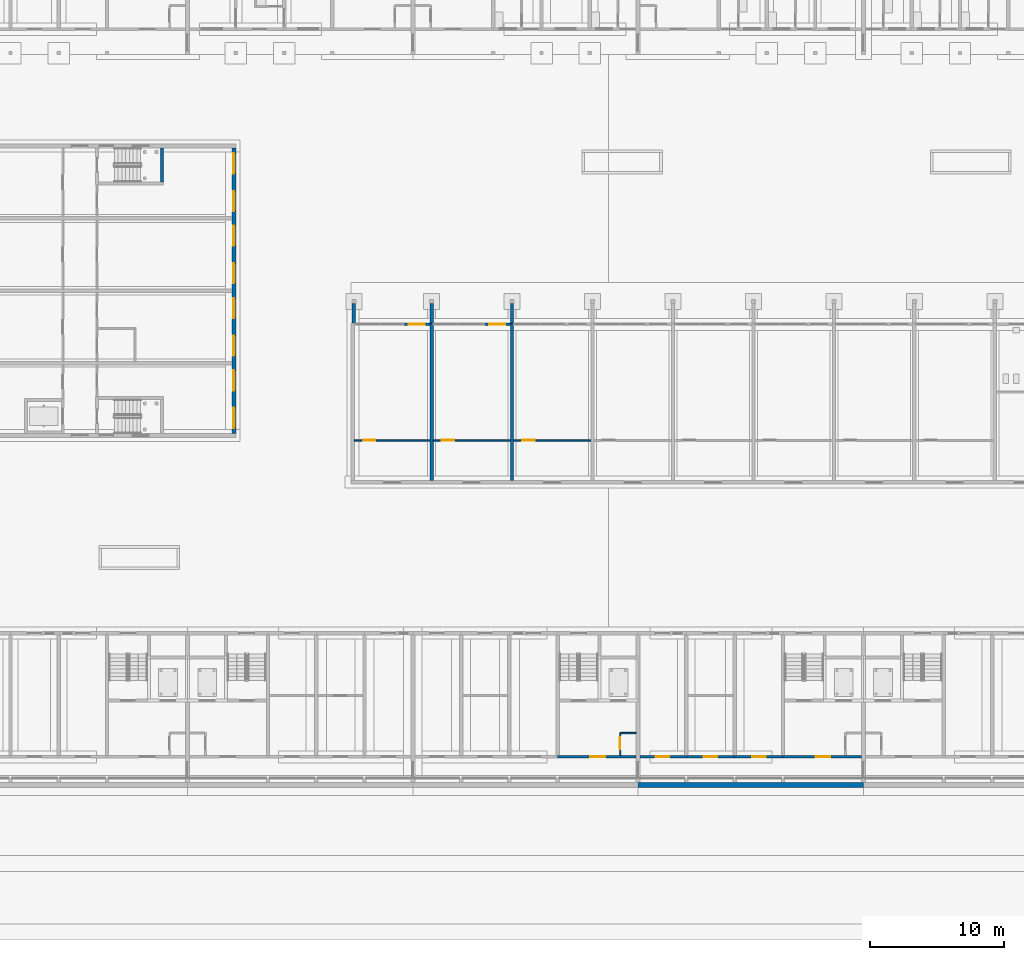
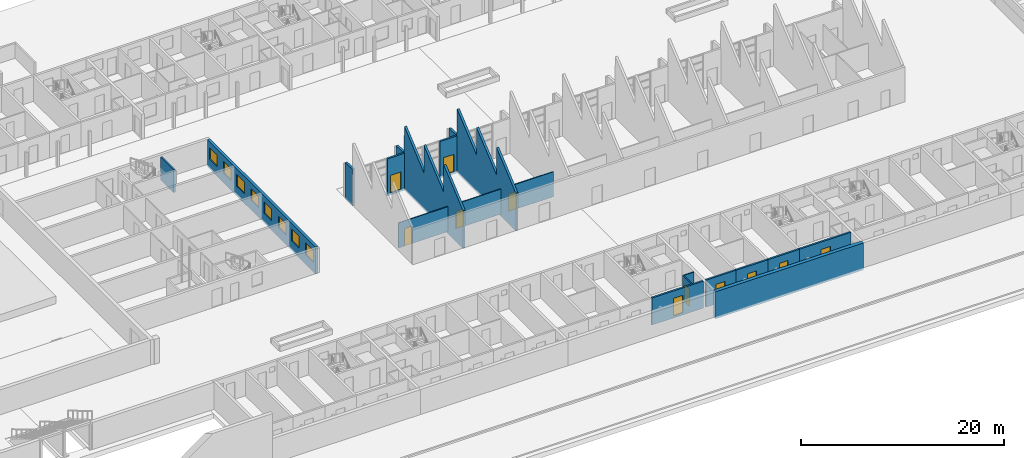
# One storey, part 58 of 112: 20 walls, 11 doors, 8 windows, 19 openings.
"""IFC4 building model written with IfcOpenShell, lengths in metres."""

from ifc_helpers import new_model, si_unit, direction, frame, frame_2d, origin, place, context, subcontext, project, spatial, polyline, rectangle, outline, extrude, material, layer, layer_set, type_object, element, fill, save


model = new_model("IFC4")

# Units and contexts
model_context = context("Model", 3, precision=1e-05, world=origin(), true_north=direction((0.0, 1.0)))
body_context = subcontext(model_context, "Body", "Model", "MODEL_VIEW")
ifc_project = project(units=[si_unit("LENGTHUNIT", "METRE"), si_unit("AREAUNIT", "SQUARE_METRE"), si_unit("VOLUMEUNIT", "CUBIC_METRE"), si_unit("PLANEANGLEUNIT", "RADIAN"), si_unit("MASSUNIT", "GRAM", prefix="KILO")], contexts=[model_context])

# Site, building, storey
site_placement = place(None, origin())
site = spatial("IfcSite", under=ifc_project, at=site_placement, CompositionType="ELEMENT")
building_placement = place(site_placement, origin())
building = spatial("IfcBuilding", under=site, at=building_placement, Name="Ridgestep Commons", CompositionType="ELEMENT")
storey_placement = place(building_placement, origin())
storey = spatial("IfcBuildingStorey", under=building, at=storey_placement, Name="L00", CompositionType="ELEMENT", Elevation=0.0)

# Wall, openings, windows
ifc_material_1 = material(Name="Precast concrete C40/50", Category="concrete")
ifc_layer_1 = layer(ifc_material_1, 0.300048828125)
ifc_layer_set_1 = layer_set([ifc_layer_1], Name="Annex wall 300")
wall_type_1 = type_object("IfcWallType", Name="Annex wall 300", PredefinedType="SOLIDWALL", material=ifc_layer_set_1)
wall_1_placement = place(storey_placement, frame((167.050048828125, 37.75, -0.25), z_axis=(0.0, 0.0, 1.0), x_axis=(0.0, 1.0, 0.0)))
wall_1 = element("IfcWall", 1, at=wall_1_placement, inside=storey, type_object=wall_type_1, Name="Annex wall 300", PredefinedType="SOLIDWALL", context=body_context, shape_type="SweptSolid", body=[
    extrude(rectangle(XDim=21.300048828125, YDim=0.300048828125, at=frame_2d((10.64990234375, 0.0))), origin(), (0.0, 0.0, 1.0), 3.25),
])
opening_1_placement = place(wall_1_placement, frame((0.41259765625, 0.0, 1.14990234375)))
opening_1 = element("IfcOpeningElement", 2, at=opening_1_placement, cuts=wall_1, Name="Opening WK2", PredefinedType="OPENING", context=body_context, shape_type="SweptSolid", body=[
    extrude(rectangle(XDim=1.5, YDim=1.39990234375, at=frame_2d((0.75, 0.699951171875))), frame((0.0, 0.159912109375, 0.0), z_axis=(0.0, -1.0, 0.0), x_axis=(1.0, 0.0, 0.0)), (0.0, 0.0, 1.0), 0.320068359375),
])
opening_2_placement = place(wall_1_placement, frame((3.21240234375, 0.0, 1.14990234375)))
opening_2 = element("IfcOpeningElement", 3, at=opening_2_placement, cuts=wall_1, Name="Opening WK2", PredefinedType="OPENING", context=body_context, shape_type="SweptSolid", body=[
    extrude(rectangle(XDim=1.5, YDim=1.39990234375, at=frame_2d((0.75, 0.699951171875))), frame((0.0, 0.159912109375, 0.0), z_axis=(0.0, -1.0, 0.0), x_axis=(1.0, 0.0, 0.0)), (0.0, 0.0, 1.0), 0.320068359375),
])
opening_3_placement = place(wall_1_placement, frame((5.800048828125, 0.0, 1.14990234375)))
opening_3 = element("IfcOpeningElement", 4, at=opening_3_placement, cuts=wall_1, Name="Opening WK2", PredefinedType="OPENING", context=body_context, shape_type="SweptSolid", body=[
    extrude(rectangle(XDim=1.5, YDim=1.39990234375, at=frame_2d((0.75, 0.699951171875))), frame((0.0, 0.159912109375, 0.0), z_axis=(0.0, -1.0, 0.0), x_axis=(1.0, 0.0, 0.0)), (0.0, 0.0, 1.0), 0.320068359375),
])
opening_4_placement = place(wall_1_placement, frame((8.60009765625, 0.0, 1.14990234375)))
opening_4 = element("IfcOpeningElement", 5, at=opening_4_placement, cuts=wall_1, Name="Opening WK2", PredefinedType="OPENING", context=body_context, shape_type="SweptSolid", body=[
    extrude(rectangle(XDim=1.5, YDim=1.39990234375, at=frame_2d((0.75, 0.699951171875))), frame((0.0, 0.159912109375, 0.0), z_axis=(0.0, -1.0, 0.0), x_axis=(1.0, 0.0, 0.0)), (0.0, 0.0, 1.0), 0.320068359375),
])
opening_5_placement = place(wall_1_placement, frame((11.199951171875, 0.0, 1.14990234375)))
opening_5 = element("IfcOpeningElement", 6, at=opening_5_placement, cuts=wall_1, Name="Opening WK2", PredefinedType="OPENING", context=body_context, shape_type="SweptSolid", body=[
    extrude(rectangle(XDim=1.5, YDim=1.39990234375, at=frame_2d((0.75, 0.699951171875))), frame((0.0, 0.159912109375, 0.0), z_axis=(0.0, -1.0, 0.0), x_axis=(1.0, 0.0, 0.0)), (0.0, 0.0, 1.0), 0.320068359375),
])
opening_6_placement = place(wall_1_placement, frame((14.0, 0.0, 1.14990234375)))
opening_6 = element("IfcOpeningElement", 7, at=opening_6_placement, cuts=wall_1, Name="Opening WK2", PredefinedType="OPENING", context=body_context, shape_type="SweptSolid", body=[
    extrude(rectangle(XDim=1.5, YDim=1.39990234375, at=frame_2d((0.75, 0.699951171875))), frame((0.0, 0.159912109375, 0.0), z_axis=(0.0, -1.0, 0.0), x_axis=(1.0, 0.0, 0.0)), (0.0, 0.0, 1.0), 0.320068359375),
])
opening_7_placement = place(wall_1_placement, frame((16.58740234375, 0.0, 1.14990234375)))
opening_7 = element("IfcOpeningElement", 8, at=opening_7_placement, cuts=wall_1, Name="Opening WK2", PredefinedType="OPENING", context=body_context, shape_type="SweptSolid", body=[
    extrude(rectangle(XDim=1.5, YDim=1.39990234375, at=frame_2d((0.75, 0.699951171875))), frame((0.0, 0.159912109375, 0.0), z_axis=(0.0, -1.0, 0.0), x_axis=(1.0, 0.0, 0.0)), (0.0, 0.0, 1.0), 0.320068359375),
])
opening_8_placement = place(wall_1_placement, frame((19.387451171875, 0.0, 1.14990234375)))
opening_8 = element("IfcOpeningElement", 9, at=opening_8_placement, cuts=wall_1, Name="Opening WK2", PredefinedType="OPENING", context=body_context, shape_type="SweptSolid", body=[
    extrude(rectangle(XDim=1.5, YDim=1.39990234375, at=frame_2d((0.75, 0.699951171875))), frame((0.0, 0.159912109375, 0.0), z_axis=(0.0, -1.0, 0.0), x_axis=(1.0, 0.0, 0.0)), (0.0, 0.0, 1.0), 0.320068359375),
])
ifc_material_2 = material(Name="Aluminium and glass", Category="aluminium")
window_type = type_object("IfcWindowType", Name="Community window 1500 x 1400", PartitioningType="DOUBLE_PANEL_HORIZONTAL", PredefinedType="WINDOW", material=ifc_material_2)
window_1_placement = place(opening_1_placement, origin())
window_1 = element("IfcWindow", 10, at=window_1_placement, inside=storey, type_object=window_type, Name="Community window 1500 x 1400", OverallHeight=1.39990234375, OverallWidth=1.5, PartitioningType="SINGLE_PANEL", PredefinedType="WINDOW", context=body_context, shape_type="SweptSolid", body=[
    extrude(rectangle(XDim=1.5, YDim=1.39990234375, at=frame_2d((0.75, 0.699951171875))), frame((0.0, 0.030029296875, 0.0), z_axis=(0.0, -1.0, 0.0), x_axis=(1.0, 0.0, 0.0)), (0.0, 0.0, 1.0), 0.06005859375),
])
fill(opening_1, window_1)
window_2_placement = place(opening_2_placement, origin())
window_2 = element("IfcWindow", 11, at=window_2_placement, inside=storey, type_object=window_type, Name="Community window 1500 x 1400", OverallHeight=1.39990234375, OverallWidth=1.5, PartitioningType="SINGLE_PANEL", PredefinedType="WINDOW", context=body_context, shape_type="SweptSolid", body=[
    extrude(rectangle(XDim=1.5, YDim=1.39990234375, at=frame_2d((0.75, 0.699951171875))), frame((0.0, 0.030029296875, 0.0), z_axis=(0.0, -1.0, 0.0), x_axis=(1.0, 0.0, 0.0)), (0.0, 0.0, 1.0), 0.06005859375),
])
fill(opening_2, window_2)
window_3_placement = place(opening_3_placement, origin())
window_3 = element("IfcWindow", 12, at=window_3_placement, inside=storey, type_object=window_type, Name="Community window 1500 x 1400", OverallHeight=1.39990234375, OverallWidth=1.5, PartitioningType="SINGLE_PANEL", PredefinedType="WINDOW", context=body_context, shape_type="SweptSolid", body=[
    extrude(rectangle(XDim=1.5, YDim=1.39990234375, at=frame_2d((0.75, 0.699951171875))), frame((0.0, 0.030029296875, 0.0), z_axis=(0.0, -1.0, 0.0), x_axis=(1.0, 0.0, 0.0)), (0.0, 0.0, 1.0), 0.06005859375),
])
fill(opening_3, window_3)
window_4_placement = place(opening_4_placement, origin())
window_4 = element("IfcWindow", 13, at=window_4_placement, inside=storey, type_object=window_type, Name="Community window 1500 x 1400", OverallHeight=1.39990234375, OverallWidth=1.5, PartitioningType="SINGLE_PANEL", PredefinedType="WINDOW", context=body_context, shape_type="SweptSolid", body=[
    extrude(rectangle(XDim=1.5, YDim=1.39990234375, at=frame_2d((0.75, 0.699951171875))), frame((0.0, 0.030029296875, 0.0), z_axis=(0.0, -1.0, 0.0), x_axis=(1.0, 0.0, 0.0)), (0.0, 0.0, 1.0), 0.06005859375),
])
fill(opening_4, window_4)
window_5_placement = place(opening_5_placement, origin())
window_5 = element("IfcWindow", 14, at=window_5_placement, inside=storey, type_object=window_type, Name="Community window 1500 x 1400", OverallHeight=1.39990234375, OverallWidth=1.5, PartitioningType="SINGLE_PANEL", PredefinedType="WINDOW", context=body_context, shape_type="SweptSolid", body=[
    extrude(rectangle(XDim=1.5, YDim=1.39990234375, at=frame_2d((0.75, 0.699951171875))), frame((0.0, 0.030029296875, 0.0), z_axis=(0.0, -1.0, 0.0), x_axis=(1.0, 0.0, 0.0)), (0.0, 0.0, 1.0), 0.06005859375),
])
fill(opening_5, window_5)
window_6_placement = place(opening_6_placement, origin())
window_6 = element("IfcWindow", 15, at=window_6_placement, inside=storey, type_object=window_type, Name="Community window 1500 x 1400", OverallHeight=1.39990234375, OverallWidth=1.5, PartitioningType="SINGLE_PANEL", PredefinedType="WINDOW", context=body_context, shape_type="SweptSolid", body=[
    extrude(rectangle(XDim=1.5, YDim=1.39990234375, at=frame_2d((0.75, 0.699951171875))), frame((0.0, 0.030029296875, 0.0), z_axis=(0.0, -1.0, 0.0), x_axis=(1.0, 0.0, 0.0)), (0.0, 0.0, 1.0), 0.06005859375),
])
fill(opening_6, window_6)
window_7_placement = place(opening_7_placement, origin())
window_7 = element("IfcWindow", 16, at=window_7_placement, inside=storey, type_object=window_type, Name="Community window 1500 x 1400", OverallHeight=1.39990234375, OverallWidth=1.5, PartitioningType="SINGLE_PANEL", PredefinedType="WINDOW", context=body_context, shape_type="SweptSolid", body=[
    extrude(rectangle(XDim=1.5, YDim=1.39990234375, at=frame_2d((0.75, 0.699951171875))), frame((0.0, 0.030029296875, 0.0), z_axis=(0.0, -1.0, 0.0), x_axis=(1.0, 0.0, 0.0)), (0.0, 0.0, 1.0), 0.06005859375),
])
fill(opening_7, window_7)
window_8_placement = place(opening_8_placement, origin())
window_8 = element("IfcWindow", 17, at=window_8_placement, inside=storey, type_object=window_type, Name="Community window 1500 x 1400", OverallHeight=1.39990234375, OverallWidth=1.5, PartitioningType="SINGLE_PANEL", PredefinedType="WINDOW", context=body_context, shape_type="SweptSolid", body=[
    extrude(rectangle(XDim=1.5, YDim=1.39990234375, at=frame_2d((0.75, 0.699951171875))), frame((0.0, 0.030029296875, 0.0), z_axis=(0.0, -1.0, 0.0), x_axis=(1.0, 0.0, 0.0)), (0.0, 0.0, 1.0), 0.06005859375),
])
fill(opening_8, window_8)

# Wall
ifc_material_3 = material(Name="Concrete C30/37", Category="concrete")
ifc_layer_2 = layer(ifc_material_3, 0.199951171875)
ifc_layer_set_2 = layer_set([ifc_layer_2], Name="Community stair wall 200")
wall_type_2 = type_object("IfcWallType", Name="Community stair wall 200", PredefinedType="SOLIDWALL", material=ifc_layer_set_2)
wall_2_placement = place(storey_placement, frame((161.68994140625, 59.050048828125, 0.0), z_axis=(0.0, 0.0, 1.0), x_axis=(0.0, -1.0, 0.0)))
element("IfcWall", 18, at=wall_2_placement, inside=storey, type_object=wall_type_2, Name="Community stair wall 200", PredefinedType="SOLIDWALL", context=body_context, shape_type="SweptSolid", body=[
    extrude(rectangle(XDim=2.550048828125, YDim=0.199951171875, at=frame_2d((1.27490234375, 0.0))), origin(), (0.0, 0.0, 1.0), 2.75),
])

# Wall, opening, door
ifc_material_4 = material(Name="Concrete C30/37", Category="concrete")
ifc_layer_3 = layer(ifc_material_4, 0.199951171875)
ifc_layer_set_3 = layer_set([ifc_layer_3], Name="Core south wall 200")
wall_type_3 = type_object("IfcWallType", Name="Core south wall 200", PredefinedType="SHEAR", material=ifc_layer_set_3)
wall_3_placement = place(storey_placement, frame((191.199951171875, 13.64990234375, -0.25), z_axis=(0.0, 0.0, 1.0), x_axis=(1.0, 0.0, 0.0)))
wall_3 = element("IfcWall", 19, at=wall_3_placement, inside=storey, type_object=wall_type_3, Name="Core south wall D3C L00", PredefinedType="SHEAR", context=body_context, shape_type="SweptSolid", body=[
    extrude(rectangle(XDim=5.85009765625, YDim=0.199951171875, at=frame_2d((2.925048828125, 0.0))), origin(), (0.0, 0.0, 1.0), 3.25),
])
opening_9_placement = place(wall_3_placement, frame((2.4375, 0.0, 0.25)))
opening_9 = element("IfcOpeningElement", 20, at=opening_9_placement, cuts=wall_3, Name="Opening D3C/00/1", PredefinedType="OPENING", context=body_context, shape_type="SweptSolid", body=[
    extrude(rectangle(XDim=1.10009765625, YDim=2.10009765625, at=frame_2d((0.550048828125, 1.050048828125))), frame((0.0, 0.10986328125, 0.0), z_axis=(0.0, -1.0, 0.0), x_axis=(1.0, 0.0, 0.0)), (0.0, 0.0, 1.0), 0.219970703125),
])
ifc_material_5 = material(Name="Steel fire door", Category="steel")
door_type_1 = type_object("IfcDoorType", Name="Lobby door 1100 x 2100 FD60", OperationType="NOTDEFINED", PredefinedType="DOOR", material=ifc_material_5)
door_1_placement = place(opening_9_placement, origin())
door_1 = element("IfcDoor", 21, at=door_1_placement, inside=storey, type_object=door_type_1, Name="Lobby door D3C/00/1", OperationType="SINGLE_SWING_LEFT", OverallHeight=2.10009765625, OverallWidth=1.10009765625, PredefinedType="DOOR", context=body_context, shape_type="SweptSolid", body=[
    extrude(rectangle(XDim=1.10009765625, YDim=2.10009765625, at=frame_2d((0.550048828125, 1.050048828125))), frame((0.0, 0.02490234375, 0.0), z_axis=(0.0, -1.0, 0.0), x_axis=(1.0, 0.0, 0.0)), (0.0, 0.0, 1.0), 0.050048828125),
])
fill(opening_9, door_1)

wall_4_placement = place(storey_placement, frame((208.0, 13.64990234375, -0.25), z_axis=(0.0, 0.0, 1.0), x_axis=(1.0, 0.0, 0.0)))
wall_4 = element("IfcWall", 22, at=wall_4_placement, inside=storey, type_object=wall_type_3, Name="Core south wall D4C L00", PredefinedType="SHEAR", context=body_context, shape_type="SweptSolid", body=[
    extrude(rectangle(XDim=5.85009765625, YDim=0.199951171875, at=frame_2d((2.925048828125, 0.0))), origin(), (0.0, 0.0, 1.0), 3.25),
])
opening_10_placement = place(wall_4_placement, frame((2.4375, 0.0, 0.25)))
opening_10 = element("IfcOpeningElement", 23, at=opening_10_placement, cuts=wall_4, Name="Opening D4C/00/1", PredefinedType="OPENING", context=body_context, shape_type="SweptSolid", body=[
    extrude(rectangle(XDim=1.10009765625, YDim=2.10009765625, at=frame_2d((0.550048828125, 1.050048828125))), frame((0.0, 0.10986328125, 0.0), z_axis=(0.0, -1.0, 0.0), x_axis=(1.0, 0.0, 0.0)), (0.0, 0.0, 1.0), 0.219970703125),
])
door_2_placement = place(opening_10_placement, origin())
door_2 = element("IfcDoor", 24, at=door_2_placement, inside=storey, type_object=door_type_1, Name="Lobby door D4C/00/1", OperationType="SINGLE_SWING_LEFT", OverallHeight=2.10009765625, OverallWidth=1.10009765625, PredefinedType="DOOR", context=body_context, shape_type="SweptSolid", body=[
    extrude(rectangle(XDim=1.10009765625, YDim=2.10009765625, at=frame_2d((0.550048828125, 1.050048828125))), frame((0.0, 0.02490234375, 0.0), z_axis=(0.0, -1.0, 0.0), x_axis=(1.0, 0.0, 0.0)), (0.0, 0.0, 1.0), 0.050048828125),
])
fill(opening_10, door_2)

ifc_material_6 = material(Name="Concrete C30/37", Category="concrete")
ifc_layer_4 = layer(ifc_material_6, 0.1201171875)
ifc_layer_set_4 = layer_set([ifc_layer_4], Name="Core wall 120")
wall_type_4 = type_object("IfcWallType", Name="Core wall 120", PredefinedType="SHEAR", material=ifc_layer_set_4)
wall_5_placement = place(storey_placement, frame((195.860107421875, 13.75, -0.25), z_axis=(0.0, 0.0, 1.0), x_axis=(0.0, 1.0, 0.0)))
wall_5 = element("IfcWall", 25, at=wall_5_placement, inside=storey, type_object=wall_type_4, Name="Core riser w wall D3C L00", PredefinedType="SHEAR", context=body_context, shape_type="SweptSolid", body=[
    extrude(rectangle(XDim=1.719970703125, YDim=0.1201171875, at=frame_2d((0.85986328125, 0.0))), origin(), (0.0, 0.0, 1.0), 3.25),
])
opening_11_placement = place(wall_5_placement, frame((0.449951171875, 0.0, 0.25)))
opening_11 = element("IfcOpeningElement", 26, at=opening_11_placement, cuts=wall_5, Name="Opening D3C/00/4", PredefinedType="OPENING", context=body_context, shape_type="SweptSolid", body=[
    extrude(rectangle(XDim=0.89990234375, YDim=2.10009765625, at=frame_2d((0.449951171875, 1.050048828125))), frame((0.0, 0.070068359375, 0.0), z_axis=(0.0, -1.0, 0.0), x_axis=(1.0, 0.0, 0.0)), (0.0, 0.0, 1.0), 0.14013671875),
])
ifc_material_7 = material(Name="Steel fire door", Category="steel")
door_type_2 = type_object("IfcDoorType", Name="Riser door 900 x 2100 FD60", OperationType="NOTDEFINED", PredefinedType="DOOR", material=ifc_material_7)
door_3_placement = place(opening_11_placement, origin())
door_3 = element("IfcDoor", 27, at=door_3_placement, inside=storey, type_object=door_type_2, Name="Riser door D3C/00/4", OperationType="SINGLE_SWING_LEFT", OverallHeight=2.10009765625, OverallWidth=0.89990234375, PredefinedType="DOOR", context=body_context, shape_type="SweptSolid", body=[
    extrude(rectangle(XDim=0.89990234375, YDim=2.10009765625, at=frame_2d((0.449951171875, 1.050048828125))), frame((0.0, 0.02490234375, 0.0), z_axis=(0.0, -1.0, 0.0), x_axis=(1.0, 0.0, 0.0)), (0.0, 0.0, 1.0), 0.050048828125),
])
fill(opening_11, door_3)

# Walls
wall_6_placement = place(storey_placement, frame((195.919921875, 15.409912109375, -0.25), z_axis=(0.0, 0.0, 1.0), x_axis=(1.0, 0.0, 0.0)))
element("IfcWall", 28, at=wall_6_placement, inside=storey, type_object=wall_type_4, Name="Core riser n wall D3C L00", PredefinedType="SHEAR", context=body_context, shape_type="SweptSolid", body=[
    extrude(rectangle(XDim=1.130126953125, YDim=0.1201171875, at=frame_2d((0.56494140625, 0.0))), origin(), (0.0, 0.0, 1.0), 3.25),
])
ifc_material_8 = material(Name="Concrete C30/37", Category="concrete")
ifc_layer_5 = layer(ifc_material_8, 0.39990234375)
ifc_layer_set_5 = layer_set([ifc_layer_5], Name="Plinth retaining wall 400")
wall_type_5 = type_object("IfcWallType", Name="Plinth retaining wall 400", PredefinedType="SOLIDWALL", material=ifc_layer_set_5)
wall_7_placement = place(storey_placement, frame((197.199951171875, 11.550048828125, -0.25), z_axis=(0.0, 0.0, 1.0), x_axis=(1.0, 0.0, 0.0)))
element("IfcWall", 29, at=wall_7_placement, inside=storey, type_object=wall_type_5, Name="Plinth retaining wall D4 L00", PredefinedType="SOLIDWALL", context=body_context, shape_type="SweptSolid", body=[
    extrude(rectangle(XDim=16.800048828125, YDim=0.39990234375, at=frame_2d((8.39990234375, 0.0))), origin(), (0.0, 0.0, 1.0), 3.25),
])
ifc_material_9 = material(Name="Precast concrete C40/50", Category="concrete")
ifc_layer_6 = layer(ifc_material_9, 0.25)
ifc_layer_set_6 = layer_set([ifc_layer_6], Name="Shop arcade fin 250")
wall_type_6 = type_object("IfcWallType", Name="Shop arcade fin 250", PredefinedType="SOLIDWALL", material=ifc_layer_set_6)
for number, where, z_axis, x_axis, name in (
    (30, (176.0, 46.0, -0.25), (0.0, 0.0, 1.0), (0.0, 1.0, 0.0), "Shop arcade fin 250"),
    (31, (181.800048828125, 46.0, -0.25), (0.0, 0.0, 1.0), (0.0, 1.0, 0.0), "Shop arcade fin 250"),
    (32, (187.800048828125, 46.0, -0.25), (0.0, 0.0, 1.0), (0.0, 1.0, 0.0), "Shop arcade fin 250"),
):
    element("IfcWall", number, at=place(storey_placement, frame(where, z_axis=z_axis, x_axis=x_axis)), inside=storey, type_object=wall_type_6, Name=name, PredefinedType="SOLIDWALL", context=body_context, shape_type="SweptSolid", body=[
        extrude(outline(polyline([(0.0, 0.0), (1.449951171875, 0.0), (1.449951171875, 4.360107421875), (0.0, 4.447021484375), (0.0, 0.0)])), frame((0.0, 0.125, 0.0), z_axis=(0.0, -1.0, 0.0), x_axis=(1.0, 0.0, 0.0)), (0.0, 0.0, 1.0), 0.25),
    ])

# Wall, opening, door
ifc_material_10 = material(Name="Precast concrete C40/50", Category="concrete")
ifc_layer_7 = layer(ifc_material_10, 0.199951171875)
ifc_layer_set_7 = layer_set([ifc_layer_7], Name="Shop front wall 200")
wall_type_7 = type_object("IfcWallType", Name="Shop front wall 200", PredefinedType="SOLIDWALL", material=ifc_layer_set_7)
wall_8_placement = place(storey_placement, frame((179.72509765625, 45.89990234375, -0.25), z_axis=(0.0, 0.0, 1.0), x_axis=(1.0, 0.0, 0.0)))
wall_8 = element("IfcWall", 33, at=wall_8_placement, inside=storey, type_object=wall_type_7, Name="Shop front wall 200", PredefinedType="SOLIDWALL", context=body_context, shape_type="SweptSolid", body=[
    extrude(rectangle(XDim=1.949951171875, YDim=0.199951171875, at=frame_2d((0.97509765625, 0.0))), origin(), (0.0, 0.0, 1.0), 4.449951171875),
])
opening_12_placement = place(wall_8_placement, frame((0.375, 0.0, 0.25)))
opening_12 = element("IfcOpeningElement", 34, at=opening_12_placement, cuts=wall_8, Name="Opening C026", PredefinedType="OPENING", context=body_context, shape_type="SweptSolid", body=[
    extrude(rectangle(XDim=1.199951171875, YDim=2.10009765625, at=frame_2d((0.60009765625, 1.050048828125))), frame((0.0, 0.10986328125, 0.0), z_axis=(0.0, -1.0, 0.0), x_axis=(1.0, 0.0, 0.0)), (0.0, 0.0, 1.0), 0.219970703125),
])
ifc_material_11 = material(Name="Aluminium and glass", Category="aluminium")
door_type_3 = type_object("IfcDoorType", Name="Shop door 1200 x 2100", OperationType="SINGLE_SWING_LEFT", PredefinedType="DOOR", material=ifc_material_11)
door_4_placement = place(opening_12_placement, origin())
door_4 = element("IfcDoor", 35, at=door_4_placement, inside=storey, type_object=door_type_3, Name="Shop door 1200 x 2100", OperationType="SINGLE_SWING_RIGHT", OverallHeight=2.10009765625, OverallWidth=1.199951171875, PredefinedType="DOOR", context=body_context, shape_type="SweptSolid", body=[
    extrude(rectangle(XDim=1.199951171875, YDim=2.10009765625, at=frame_2d((0.60009765625, 1.050048828125))), frame((0.0, 0.02490234375, 0.0), z_axis=(0.0, -1.0, 0.0), x_axis=(1.0, 0.0, 0.0)), (0.0, 0.0, 1.0), 0.050048828125),
])
fill(opening_12, door_4)

wall_9_placement = place(storey_placement, frame((185.72509765625, 45.89990234375, -0.25), z_axis=(0.0, 0.0, 1.0), x_axis=(1.0, 0.0, 0.0)))
wall_9 = element("IfcWall", 36, at=wall_9_placement, inside=storey, type_object=wall_type_7, Name="Shop front wall 200", PredefinedType="SOLIDWALL", context=body_context, shape_type="SweptSolid", body=[
    extrude(rectangle(XDim=1.949951171875, YDim=0.199951171875, at=frame_2d((0.97509765625, 0.0))), origin(), (0.0, 0.0, 1.0), 4.449951171875),
])
opening_13_placement = place(wall_9_placement, frame((0.375, 0.0, 0.25)))
opening_13 = element("IfcOpeningElement", 37, at=opening_13_placement, cuts=wall_9, Name="Opening C028", PredefinedType="OPENING", context=body_context, shape_type="SweptSolid", body=[
    extrude(rectangle(XDim=1.199951171875, YDim=2.10009765625, at=frame_2d((0.60009765625, 1.050048828125))), frame((0.0, 0.10986328125, 0.0), z_axis=(0.0, -1.0, 0.0), x_axis=(1.0, 0.0, 0.0)), (0.0, 0.0, 1.0), 0.219970703125),
])
door_5_placement = place(opening_13_placement, origin())
door_5 = element("IfcDoor", 38, at=door_5_placement, inside=storey, type_object=door_type_3, Name="Shop door 1200 x 2100", OperationType="SINGLE_SWING_RIGHT", OverallHeight=2.10009765625, OverallWidth=1.199951171875, PredefinedType="DOOR", context=body_context, shape_type="SweptSolid", body=[
    extrude(rectangle(XDim=1.199951171875, YDim=2.10009765625, at=frame_2d((0.60009765625, 1.050048828125))), frame((0.0, 0.02490234375, 0.0), z_axis=(0.0, -1.0, 0.0), x_axis=(1.0, 0.0, 0.0)), (0.0, 0.0, 1.0), 0.050048828125),
])
fill(opening_13, door_5)

ifc_material_12 = material(Name="Common brick 110 mm", Category="masonry")
ifc_layer_8 = layer(ifc_material_12, 0.110107421875)
ifc_layer_set_8 = layer_set([ifc_layer_8], Name="Shop partition 110")
wall_type_8 = type_object("IfcWallType", Name="Shop partition 110", PredefinedType="PARTITIONING", material=ifc_layer_set_8)
wall_10_placement = place(storey_placement, frame((176.050048828125, 37.25, 0.0), z_axis=(0.0, 0.0, 1.0), x_axis=(1.0, 0.0, 0.0)))
wall_10 = element("IfcWall", 39, at=wall_10_placement, inside=storey, type_object=wall_type_8, Name="Shop partition 110", PredefinedType="PARTITIONING", context=body_context, shape_type="SweptSolid", body=[
    extrude(rectangle(XDim=5.625, YDim=0.110107421875, at=frame_2d((2.8125, 0.0))), origin(), (0.0, 0.0, 1.0), 3.0),
])
opening_14_placement = place(wall_10_placement, frame((0.64990234375, 0.0, 0.0)))
opening_14 = element("IfcOpeningElement", 40, at=opening_14_placement, cuts=wall_10, Name="Opening C107", PredefinedType="OPENING", context=body_context, shape_type="SweptSolid", body=[
    extrude(rectangle(XDim=0.89990234375, YDim=2.10009765625, at=frame_2d((0.449951171875, 1.050048828125))), frame((0.0, 0.06494140625, 0.0), z_axis=(0.0, -1.0, 0.0), x_axis=(1.0, 0.0, 0.0)), (0.0, 0.0, 1.0), 0.130126953125),
])
ifc_material_13 = material(Name="Timber", Category="wood")
door_type_4 = type_object("IfcDoorType", Name="Community door 900 x 2100", OperationType="SINGLE_SWING_LEFT", PredefinedType="DOOR", material=ifc_material_13)
door_6_placement = place(opening_14_placement, origin())
door_6 = element("IfcDoor", 41, at=door_6_placement, inside=storey, type_object=door_type_4, Name="Community door 900 x 2100", OperationType="SINGLE_SWING_LEFT", OverallHeight=2.10009765625, OverallWidth=0.89990234375, PredefinedType="DOOR", context=body_context, shape_type="SweptSolid", body=[
    extrude(rectangle(XDim=0.89990234375, YDim=2.10009765625, at=frame_2d((0.449951171875, 1.050048828125))), frame((0.0, 0.02490234375, 0.0), z_axis=(0.0, -1.0, 0.0), x_axis=(1.0, 0.0, 0.0)), (0.0, 0.0, 1.0), 0.050048828125),
])
fill(opening_14, door_6)

wall_11_placement = place(storey_placement, frame((181.925048828125, 37.25, 0.0), z_axis=(0.0, 0.0, 1.0), x_axis=(1.0, 0.0, 0.0)))
wall_11 = element("IfcWall", 42, at=wall_11_placement, inside=storey, type_object=wall_type_8, Name="Shop partition 110", PredefinedType="PARTITIONING", context=body_context, shape_type="SweptSolid", body=[
    extrude(rectangle(XDim=5.75, YDim=0.110107421875, at=frame_2d((2.875, 0.0))), origin(), (0.0, 0.0, 1.0), 3.0),
])
opening_15_placement = place(wall_11_placement, frame((0.64990234375, 0.0, 0.0)))
opening_15 = element("IfcOpeningElement", 43, at=opening_15_placement, cuts=wall_11, Name="Opening C108", PredefinedType="OPENING", context=body_context, shape_type="SweptSolid", body=[
    extrude(rectangle(XDim=0.89990234375, YDim=2.10009765625, at=frame_2d((0.449951171875, 1.050048828125))), frame((0.0, 0.06494140625, 0.0), z_axis=(0.0, -1.0, 0.0), x_axis=(1.0, 0.0, 0.0)), (0.0, 0.0, 1.0), 0.130126953125),
])
door_7_placement = place(opening_15_placement, origin())
door_7 = element("IfcDoor", 44, at=door_7_placement, inside=storey, type_object=door_type_4, Name="Community door 900 x 2100", OperationType="SINGLE_SWING_LEFT", OverallHeight=2.10009765625, OverallWidth=0.89990234375, PredefinedType="DOOR", context=body_context, shape_type="SweptSolid", body=[
    extrude(rectangle(XDim=0.89990234375, YDim=2.10009765625, at=frame_2d((0.449951171875, 1.050048828125))), frame((0.0, 0.02490234375, 0.0), z_axis=(0.0, -1.0, 0.0), x_axis=(1.0, 0.0, 0.0)), (0.0, 0.0, 1.0), 0.050048828125),
])
fill(opening_15, door_7)

wall_12_placement = place(storey_placement, frame((187.925048828125, 37.25, 0.0), z_axis=(0.0, 0.0, 1.0), x_axis=(1.0, 0.0, 0.0)))
wall_12 = element("IfcWall", 45, at=wall_12_placement, inside=storey, type_object=wall_type_8, Name="Shop partition 110", PredefinedType="PARTITIONING", context=body_context, shape_type="SweptSolid", body=[
    extrude(rectangle(XDim=5.75, YDim=0.110107421875, at=frame_2d((2.875, 0.0))), origin(), (0.0, 0.0, 1.0), 3.0),
])
opening_16_placement = place(wall_12_placement, frame((0.64990234375, 0.0, 0.0)))
opening_16 = element("IfcOpeningElement", 46, at=opening_16_placement, cuts=wall_12, Name="Opening C109", PredefinedType="OPENING", context=body_context, shape_type="SweptSolid", body=[
    extrude(rectangle(XDim=0.89990234375, YDim=2.10009765625, at=frame_2d((0.449951171875, 1.050048828125))), frame((0.0, 0.06494140625, 0.0), z_axis=(0.0, -1.0, 0.0), x_axis=(1.0, 0.0, 0.0)), (0.0, 0.0, 1.0), 0.130126953125),
])
door_8_placement = place(opening_16_placement, origin())
door_8 = element("IfcDoor", 47, at=door_8_placement, inside=storey, type_object=door_type_4, Name="Community door 900 x 2100", OperationType="SINGLE_SWING_LEFT", OverallHeight=2.10009765625, OverallWidth=0.89990234375, PredefinedType="DOOR", context=body_context, shape_type="SweptSolid", body=[
    extrude(rectangle(XDim=0.89990234375, YDim=2.10009765625, at=frame_2d((0.449951171875, 1.050048828125))), frame((0.0, 0.02490234375, 0.0), z_axis=(0.0, -1.0, 0.0), x_axis=(1.0, 0.0, 0.0)), (0.0, 0.0, 1.0), 0.050048828125),
])
fill(opening_16, door_8)

# Walls
ifc_material_14 = material(Name="Precast concrete C40/50", Category="concrete")
ifc_layer_9 = layer(ifc_material_14, 0.25)
ifc_layer_set_9 = layer_set([ifc_layer_9], Name="Shop party wall 250")
wall_type_9 = type_object("IfcWallType", Name="Shop party wall 250", PredefinedType="SOLIDWALL", material=ifc_layer_set_9)
for number, where, z_axis, x_axis, name in (
    (48, (181.800048828125, 34.25, -0.25), (0.0, 0.0, 1.0), (0.0, 1.0, 0.0), "Shop party wall 250"),
    (49, (187.800048828125, 34.25, -0.25), (0.0, 0.0, 1.0), (0.0, 1.0, 0.0), "Shop party wall 250"),
):
    element("IfcWall", number, at=place(storey_placement, frame(where, z_axis=z_axis, x_axis=x_axis)), inside=storey, type_object=wall_type_9, Name=name, PredefinedType="SOLIDWALL", context=body_context, shape_type="SweptSolid", body=[
        extrude(outline(polyline([(0.0, 0.0), (11.75, 0.0), (11.550048828125, 7.662841796875), (7.72607421875, 4.447021484375), (7.72509765625, 7.7470703125), (3.801025390625, 4.447021484375), (3.800048828125, 7.7470703125), (0.0, 4.552001953125), (0.0, 0.0)])), frame((0.0, 0.125, 0.0), z_axis=(0.0, -1.0, 0.0), x_axis=(1.0, 0.0, 0.0)), (0.0, 0.0, 1.0), 0.25),
    ])

# Wall, opening, door
ifc_material_15 = material(Name="Precast concrete C40/50", Category="concrete")
ifc_layer_10 = layer(ifc_material_15, 0.199951171875)
ifc_layer_set_10 = layer_set([ifc_layer_10], Name="South facade panel 200")
wall_type_10 = type_object("IfcWallType", Name="South facade panel 200", PredefinedType="SOLIDWALL", material=ifc_layer_set_10)
wall_13_placement = place(storey_placement, frame((197.35009765625, 13.64990234375, -0.25), z_axis=(0.0, 0.0, 1.0), x_axis=(1.0, 0.0, 0.0)))
wall_13 = element("IfcWall", 50, at=wall_13_placement, inside=storey, type_object=wall_type_10, Name="South panel D4T1 L00", PredefinedType="SOLIDWALL", context=body_context, shape_type="SweptSolid", body=[
    extrude(rectangle(XDim=3.449951171875, YDim=0.199951171875, at=frame_2d((1.72509765625, 0.0))), origin(), (0.0, 0.0, 1.0), 3.25),
])
opening_17_placement = place(wall_13_placement, frame((1.16259765625, 0.0, 0.25)))
opening_17 = element("IfcOpeningElement", 51, at=opening_17_placement, cuts=wall_13, Name="Opening D4-00p/1", PredefinedType="OPENING", context=body_context, shape_type="SweptSolid", body=[
    extrude(rectangle(XDim=1.0, YDim=2.10009765625, at=frame_2d((0.5, 1.050048828125))), frame((0.0, 0.10986328125, 0.0), z_axis=(0.0, -1.0, 0.0), x_axis=(1.0, 0.0, 0.0)), (0.0, 0.0, 1.0), 0.219970703125),
])
ifc_material_16 = material(Name="Steel door leaf", Category="steel")
door_type_5 = type_object("IfcDoorType", Name="Store door 1000 x 2100", OperationType="NOTDEFINED", PredefinedType="DOOR", material=ifc_material_16)
door_9_placement = place(opening_17_placement, origin())
door_9 = element("IfcDoor", 52, at=door_9_placement, inside=storey, type_object=door_type_5, Name="Store door D4-00p/1", OperationType="SINGLE_SWING_RIGHT", OverallHeight=2.10009765625, OverallWidth=1.0, PredefinedType="DOOR", context=body_context, shape_type="SweptSolid", body=[
    extrude(rectangle(XDim=1.0, YDim=2.10009765625, at=frame_2d((0.5, 1.050048828125))), frame((0.0, 0.02490234375, 0.0), z_axis=(0.0, -1.0, 0.0), x_axis=(1.0, 0.0, 0.0)), (0.0, 0.0, 1.0), 0.050048828125),
])
fill(opening_17, door_9)

wall_14_placement = place(storey_placement, frame((200.800048828125, 13.64990234375, -0.25), z_axis=(0.0, 0.0, 1.0), x_axis=(1.0, 0.0, 0.0)))
wall_14 = element("IfcWall", 53, at=wall_14_placement, inside=storey, type_object=wall_type_10, Name="South panel D4T2 L00", PredefinedType="SOLIDWALL", context=body_context, shape_type="SweptSolid", body=[
    extrude(rectangle(XDim=3.599853515625, YDim=0.199951171875, at=frame_2d((1.7998046875, 0.0))), origin(), (0.0, 0.0, 1.0), 3.25),
])
opening_18_placement = place(wall_14_placement, frame((1.300048828125, 0.0, 0.25)))
opening_18 = element("IfcOpeningElement", 54, at=opening_18_placement, cuts=wall_14, Name="Opening D4-00p/3", PredefinedType="OPENING", context=body_context, shape_type="SweptSolid", body=[
    extrude(rectangle(XDim=1.0, YDim=2.10009765625, at=frame_2d((0.5, 1.050048828125))), frame((0.0, 0.10986328125, 0.0), z_axis=(0.0, -1.0, 0.0), x_axis=(1.0, 0.0, 0.0)), (0.0, 0.0, 1.0), 0.219970703125),
])
door_10_placement = place(opening_18_placement, origin())
door_10 = element("IfcDoor", 55, at=door_10_placement, inside=storey, type_object=door_type_5, Name="Store door D4-00p/3", OperationType="SINGLE_SWING_RIGHT", OverallHeight=2.10009765625, OverallWidth=1.0, PredefinedType="DOOR", context=body_context, shape_type="SweptSolid", body=[
    extrude(rectangle(XDim=1.0, YDim=2.10009765625, at=frame_2d((0.5, 1.050048828125))), frame((0.0, 0.02490234375, 0.0), z_axis=(0.0, -1.0, 0.0), x_axis=(1.0, 0.0, 0.0)), (0.0, 0.0, 1.0), 0.050048828125),
])
fill(opening_18, door_10)

wall_15_placement = place(storey_placement, frame((204.39990234375, 13.64990234375, -0.25), z_axis=(0.0, 0.0, 1.0), x_axis=(1.0, 0.0, 0.0)))
wall_15 = element("IfcWall", 56, at=wall_15_placement, inside=storey, type_object=wall_type_10, Name="South panel D4T3 L00", PredefinedType="SOLIDWALL", context=body_context, shape_type="SweptSolid", body=[
    extrude(rectangle(XDim=3.60009765625, YDim=0.199951171875, at=frame_2d((1.800048828125, 0.0))), origin(), (0.0, 0.0, 1.0), 3.25),
])
opening_19_placement = place(wall_15_placement, frame((1.300048828125, 0.0, 0.25)))
opening_19 = element("IfcOpeningElement", 57, at=opening_19_placement, cuts=wall_15, Name="Opening D4-00p/5", PredefinedType="OPENING", context=body_context, shape_type="SweptSolid", body=[
    extrude(rectangle(XDim=1.0, YDim=2.10009765625, at=frame_2d((0.5, 1.050048828125))), frame((0.0, 0.10986328125, 0.0), z_axis=(0.0, -1.0, 0.0), x_axis=(1.0, 0.0, 0.0)), (0.0, 0.0, 1.0), 0.219970703125),
])
door_11_placement = place(opening_19_placement, origin())
door_11 = element("IfcDoor", 58, at=door_11_placement, inside=storey, type_object=door_type_5, Name="Store door D4-00p/5", OperationType="SINGLE_SWING_RIGHT", OverallHeight=2.10009765625, OverallWidth=1.0, PredefinedType="DOOR", context=body_context, shape_type="SweptSolid", body=[
    extrude(rectangle(XDim=1.0, YDim=2.10009765625, at=frame_2d((0.5, 1.050048828125))), frame((0.0, 0.02490234375, 0.0), z_axis=(0.0, -1.0, 0.0), x_axis=(1.0, 0.0, 0.0)), (0.0, 0.0, 1.0), 0.050048828125),
])
fill(opening_19, door_11)

save(model, "model.ifc")
